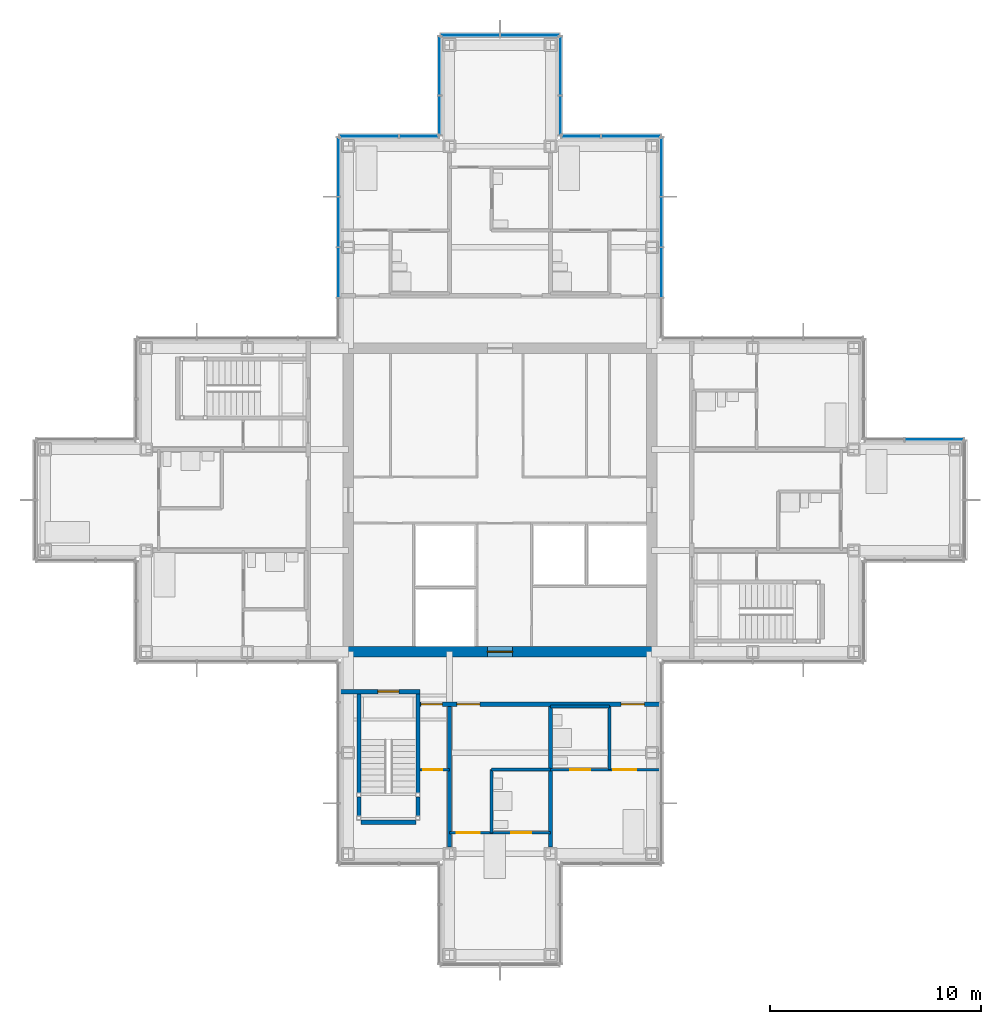
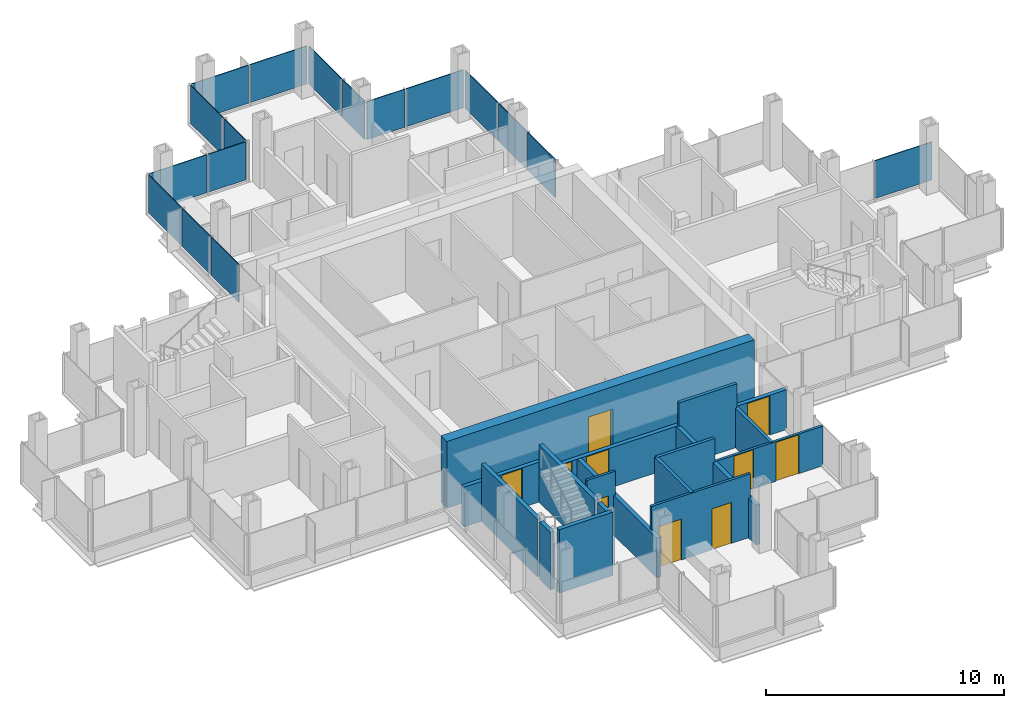
# One storey, part 11 of 17: 17 plates, 17 walls, 10 doors, 10 openings, 8 elements without a shape of their own.
"""IFC4 building model written with IfcOpenShell, lengths in metres."""

from ifc_helpers import new_model, si_unit, direction, frame, frame_2d, origin, origin_2d, place, context, subcontext, project, spatial, rectangle, extrude, material, layer, layer_set, type_object, element, fill, aggregate, save


model = new_model("IFC4")

# Units and contexts
model_context = context("Model", 3, precision=1e-05, world=origin(), true_north=direction((0.0, 1.0)))
body_context = subcontext(model_context, "Body", "Model", "MODEL_VIEW")
ifc_project = project(units=[si_unit("LENGTHUNIT", "METRE"), si_unit("AREAUNIT", "SQUARE_METRE"), si_unit("VOLUMEUNIT", "CUBIC_METRE"), si_unit("PLANEANGLEUNIT", "RADIAN"), si_unit("MASSUNIT", "GRAM", prefix="KILO")], contexts=[model_context])

# Site, building, storey
site_placement = place(None, origin())
site = spatial("IfcSite", under=ifc_project, at=site_placement, CompositionType="ELEMENT")
building_placement = place(site_placement, origin())
building = spatial("IfcBuilding", under=site, at=building_placement, Name="Kvirike Care Tower", CompositionType="ELEMENT")
storey_placement = place(building_placement, frame((0.0, 0.0, 186.5)))
storey = spatial("IfcBuildingStorey", under=building, at=storey_placement, Name="L51", CompositionType="ELEMENT", Elevation=186.5)

# Curtain wall, plate
ifc_material_1 = material(Name="Anodised aluminium stick system", Category="aluminium")
curtain_wall_type = type_object("IfcCurtainWallType", Name="CW-C STICK CURTAIN WALL", PredefinedType="NOTDEFINED", material=ifc_material_1)
curtain_wall_1_placement = place(storey_placement, origin())
curtain_wall_1 = element("IfcCurtainWall", 1, at=curtain_wall_1_placement, inside=storey, type_object=curtain_wall_type, Name="Curtain wall L51 face 5", PredefinedType="NOTDEFINED")
ifc_material_2 = material(Name="Tinted double glazed unit", Category="glass")
ifc_layer_1 = layer(ifc_material_2, 0.0400390625)
ifc_layer_set_1 = layer_set([ifc_layer_1], Name="TINTED VISION PANEL 40")
plate_type = type_object("IfcPlateType", Name="TINTED VISION PANEL 40", PredefinedType="CURTAIN_PANEL", material=ifc_layer_set_1)
plate_1_placement = place(storey_placement, frame((42.21875, 38.8701171875, 0.10009765625), z_axis=(0.0, 0.0, 1.0), x_axis=(-1.0, 0.0, 0.0)))
plate_1 = element("IfcPlate", 2, at=plate_1_placement, type_object=plate_type, Name="CW-C panel L51 face 5.1", PredefinedType="CURTAIN_PANEL", context=body_context, shape_type="SweptSolid", body=[
    extrude(rectangle(XDim=2.7724609375, YDim=0.0400390625, at=origin_2d()), origin(), (0.0, 0.0, 1.0), 1.949951171875),
])
aggregate(curtain_wall_1, [plate_1])

# Curtain wall, plates
curtain_wall_2_placement = place(storey_placement, origin())
curtain_wall_2 = element("IfcCurtainWall", 3, at=curtain_wall_2_placement, inside=storey, type_object=curtain_wall_type, Name="Curtain wall L51 face 8", PredefinedType="NOTDEFINED")
plate_2_placement = place(storey_placement, frame((29.27001953125, 46.800048828125, 0.10009765625), z_axis=(0.0, 0.0, 1.0), x_axis=(0.0, 1.0, 0.0)))
plate_2 = element("IfcPlate", 4, at=plate_2_placement, type_object=plate_type, Name="CW-C panel L51 face 8.2", PredefinedType="CURTAIN_PANEL", context=body_context, shape_type="SweptSolid", body=[
    extrude(rectangle(XDim=2.3349609375, YDim=0.0400390625, at=origin_2d()), origin(), (0.0, 0.0, 1.0), 1.949951171875),
])
plate_3_placement = place(storey_placement, frame((29.27001953125, 49.199951171875, 0.10009765625), z_axis=(0.0, 0.0, 1.0), x_axis=(0.0, 1.0, 0.0)))
plate_3 = element("IfcPlate", 5, at=plate_3_placement, type_object=plate_type, Name="CW-C panel L51 face 8.3", PredefinedType="CURTAIN_PANEL", context=body_context, shape_type="SweptSolid", body=[
    extrude(rectangle(XDim=2.3349609375, YDim=0.0400390625, at=origin_2d()), origin(), (0.0, 0.0, 1.0), 1.949951171875),
])
plate_4_placement = place(storey_placement, frame((29.27001953125, 51.81884765625, 0.10009765625), z_axis=(0.0, 0.0, 1.0), x_axis=(0.0, 1.0, 0.0)))
plate_4 = element("IfcPlate", 6, at=plate_4_placement, type_object=plate_type, Name="CW-C panel L51 face 8.4", PredefinedType="CURTAIN_PANEL", context=body_context, shape_type="SweptSolid", body=[
    extrude(rectangle(XDim=2.7724609375, YDim=0.0400390625, at=origin_2d()), origin(), (0.0, 0.0, 1.0), 1.949951171875),
])
aggregate(curtain_wall_2, [plate_2, plate_3, plate_4])

curtain_wall_3_placement = place(storey_placement, origin())
curtain_wall_3 = element("IfcCurtainWall", 7, at=curtain_wall_3_placement, inside=storey, type_object=curtain_wall_type, Name="Curtain wall L51 face 9", PredefinedType="NOTDEFINED")
plate_5_placement = place(storey_placement, frame((27.81884765625, 53.27001953125, 0.10009765625), z_axis=(0.0, 0.0, 1.0), x_axis=(-1.0, 0.0, 0.0)))
plate_5 = element("IfcPlate", 8, at=plate_5_placement, type_object=plate_type, Name="CW-C panel L51 face 9.1", PredefinedType="CURTAIN_PANEL", context=body_context, shape_type="SweptSolid", body=[
    extrude(rectangle(XDim=2.7724609375, YDim=0.0400390625, at=origin_2d()), origin(), (0.0, 0.0, 1.0), 1.949951171875),
])
plate_6_placement = place(storey_placement, frame((25.451171875, 53.27001953125, 0.10009765625), z_axis=(0.0, 0.0, 1.0), x_axis=(-1.0, 0.0, 0.0)))
plate_6 = element("IfcPlate", 9, at=plate_6_placement, type_object=plate_type, Name="CW-C panel L51 face 9.2", PredefinedType="CURTAIN_PANEL", context=body_context, shape_type="SweptSolid", body=[
    extrude(rectangle(XDim=1.83251953125, YDim=0.0400390625, at=origin_2d()), origin(), (0.0, 0.0, 1.0), 1.949951171875),
])
aggregate(curtain_wall_3, [plate_5, plate_6])

curtain_wall_4_placement = place(storey_placement, origin())
curtain_wall_4 = element("IfcCurtainWall", 10, at=curtain_wall_4_placement, inside=storey, type_object=curtain_wall_type, Name="Curtain wall L51 face 10", PredefinedType="NOTDEFINED")
plate_7_placement = place(storey_placement, frame((24.469970703125, 54.251220703125, 0.10009765625), z_axis=(0.0, 0.0, 1.0), x_axis=(0.0, 1.0, 0.0)))
plate_7 = element("IfcPlate", 11, at=plate_7_placement, type_object=plate_type, Name="CW-C panel L51 face 10.1", PredefinedType="CURTAIN_PANEL", context=body_context, shape_type="SweptSolid", body=[
    extrude(rectangle(XDim=1.83251953125, YDim=0.0400390625, at=origin_2d()), origin(), (0.0, 0.0, 1.0), 1.949951171875),
])
plate_8_placement = place(storey_placement, frame((24.469970703125, 56.61865234375, 0.10009765625), z_axis=(0.0, 0.0, 1.0), x_axis=(0.0, 1.0, 0.0)))
plate_8 = element("IfcPlate", 12, at=plate_8_placement, type_object=plate_type, Name="CW-C panel L51 face 10.2", PredefinedType="CURTAIN_PANEL", context=body_context, shape_type="SweptSolid", body=[
    extrude(rectangle(XDim=2.7724609375, YDim=0.0400390625, at=origin_2d()), origin(), (0.0, 0.0, 1.0), 1.949951171875),
])
aggregate(curtain_wall_4, [plate_7, plate_8])

curtain_wall_5_placement = place(storey_placement, origin())
curtain_wall_5 = element("IfcCurtainWall", 13, at=curtain_wall_5_placement, inside=storey, type_object=curtain_wall_type, Name="Curtain wall L51 face 11", PredefinedType="NOTDEFINED")
plate_9_placement = place(storey_placement, frame((23.018798828125, 58.070068359375, 0.10009765625), z_axis=(0.0, 0.0, 1.0), x_axis=(-1.0, 0.0, 0.0)))
plate_9 = element("IfcPlate", 14, at=plate_9_placement, type_object=plate_type, Name="CW-C panel L51 face 11.1", PredefinedType="CURTAIN_PANEL", context=body_context, shape_type="SweptSolid", body=[
    extrude(rectangle(XDim=2.7724609375, YDim=0.0400390625, at=origin_2d()), origin(), (0.0, 0.0, 1.0), 1.949951171875),
])
plate_10_placement = place(storey_placement, frame((20.18115234375, 58.070068359375, 0.10009765625), z_axis=(0.0, 0.0, 1.0), x_axis=(-1.0, 0.0, 0.0)))
plate_10 = element("IfcPlate", 15, at=plate_10_placement, type_object=plate_type, Name="CW-C panel L51 face 11.2", PredefinedType="CURTAIN_PANEL", context=body_context, shape_type="SweptSolid", body=[
    extrude(rectangle(XDim=2.7724609375, YDim=0.0400390625, at=origin_2d()), origin(), (0.0, 0.0, 1.0), 1.949951171875),
])
aggregate(curtain_wall_5, [plate_9, plate_10])

curtain_wall_6_placement = place(storey_placement, origin())
curtain_wall_6 = element("IfcCurtainWall", 16, at=curtain_wall_6_placement, inside=storey, type_object=curtain_wall_type, Name="Curtain wall L51 face 12", PredefinedType="NOTDEFINED")
plate_11_placement = place(storey_placement, frame((18.72998046875, 56.61865234375, 0.10009765625), z_axis=(0.0, 0.0, 1.0), x_axis=(0.0, -1.0, 0.0)))
plate_11 = element("IfcPlate", 17, at=plate_11_placement, type_object=plate_type, Name="CW-C panel L51 face 12.1", PredefinedType="CURTAIN_PANEL", context=body_context, shape_type="SweptSolid", body=[
    extrude(rectangle(XDim=2.7724609375, YDim=0.0400390625, at=origin_2d()), origin(), (0.0, 0.0, 1.0), 1.949951171875),
])
plate_12_placement = place(storey_placement, frame((18.72998046875, 54.251220703125, 0.10009765625), z_axis=(0.0, 0.0, 1.0), x_axis=(0.0, -1.0, 0.0)))
plate_12 = element("IfcPlate", 18, at=plate_12_placement, type_object=plate_type, Name="CW-C panel L51 face 12.2", PredefinedType="CURTAIN_PANEL", context=body_context, shape_type="SweptSolid", body=[
    extrude(rectangle(XDim=1.83251953125, YDim=0.0400390625, at=origin_2d()), origin(), (0.0, 0.0, 1.0), 1.949951171875),
])
aggregate(curtain_wall_6, [plate_11, plate_12])

curtain_wall_7_placement = place(storey_placement, origin())
curtain_wall_7 = element("IfcCurtainWall", 19, at=curtain_wall_7_placement, inside=storey, type_object=curtain_wall_type, Name="Curtain wall L51 face 13", PredefinedType="NOTDEFINED")
plate_13_placement = place(storey_placement, frame((17.748779296875, 53.27001953125, 0.10009765625), z_axis=(0.0, 0.0, 1.0), x_axis=(-1.0, 0.0, 0.0)))
plate_13 = element("IfcPlate", 20, at=plate_13_placement, type_object=plate_type, Name="CW-C panel L51 face 13.1", PredefinedType="CURTAIN_PANEL", context=body_context, shape_type="SweptSolid", body=[
    extrude(rectangle(XDim=1.83251953125, YDim=0.0400390625, at=origin_2d()), origin(), (0.0, 0.0, 1.0), 1.949951171875),
])
plate_14_placement = place(storey_placement, frame((15.38134765625, 53.27001953125, 0.10009765625), z_axis=(0.0, 0.0, 1.0), x_axis=(-1.0, 0.0, 0.0)))
plate_14 = element("IfcPlate", 21, at=plate_14_placement, type_object=plate_type, Name="CW-C panel L51 face 13.2", PredefinedType="CURTAIN_PANEL", context=body_context, shape_type="SweptSolid", body=[
    extrude(rectangle(XDim=2.7724609375, YDim=0.0400390625, at=origin_2d()), origin(), (0.0, 0.0, 1.0), 1.949951171875),
])
aggregate(curtain_wall_7, [plate_13, plate_14])

curtain_wall_8_placement = place(storey_placement, origin())
curtain_wall_8 = element("IfcCurtainWall", 22, at=curtain_wall_8_placement, inside=storey, type_object=curtain_wall_type, Name="Curtain wall L51 face 14", PredefinedType="NOTDEFINED")
plate_15_placement = place(storey_placement, frame((13.929931640625, 51.81884765625, 0.10009765625), z_axis=(0.0, 0.0, 1.0), x_axis=(0.0, -1.0, 0.0)))
plate_15 = element("IfcPlate", 23, at=plate_15_placement, type_object=plate_type, Name="CW-C panel L51 face 14.1", PredefinedType="CURTAIN_PANEL", context=body_context, shape_type="SweptSolid", body=[
    extrude(rectangle(XDim=2.7724609375, YDim=0.0400390625, at=origin_2d()), origin(), (0.0, 0.0, 1.0), 1.949951171875),
])
plate_16_placement = place(storey_placement, frame((13.929931640625, 49.199951171875, 0.10009765625), z_axis=(0.0, 0.0, 1.0), x_axis=(0.0, -1.0, 0.0)))
plate_16 = element("IfcPlate", 24, at=plate_16_placement, type_object=plate_type, Name="CW-C panel L51 face 14.2", PredefinedType="CURTAIN_PANEL", context=body_context, shape_type="SweptSolid", body=[
    extrude(rectangle(XDim=2.3349609375, YDim=0.0400390625, at=origin_2d()), origin(), (0.0, 0.0, 1.0), 1.949951171875),
])
plate_17_placement = place(storey_placement, frame((13.929931640625, 46.800048828125, 0.10009765625), z_axis=(0.0, 0.0, 1.0), x_axis=(0.0, -1.0, 0.0)))
plate_17 = element("IfcPlate", 25, at=plate_17_placement, type_object=plate_type, Name="CW-C panel L51 face 14.3", PredefinedType="CURTAIN_PANEL", context=body_context, shape_type="SweptSolid", body=[
    extrude(rectangle(XDim=2.3349609375, YDim=0.0400390625, at=origin_2d()), origin(), (0.0, 0.0, 1.0), 1.949951171875),
])
aggregate(curtain_wall_8, [plate_15, plate_16, plate_17])

# Walls
ifc_material_3 = material(Name="Moisture-resistant board partition", Category="gypsum")
ifc_layer_2 = layer(ifc_material_3, 0.14990234375)
ifc_layer_set_2 = layer_set([ifc_layer_2], Name="BATHROOM WALL 150")
wall_type_1 = type_object("IfcWallType", Name="BATHROOM WALL 150", PredefinedType="PARTITIONING", material=ifc_layer_set_2)
wall_1_placement = place(storey_placement, frame((21.199951171875, 20.199951171875, 0.0), z_axis=(0.0, 0.0, 1.0), x_axis=(0.0, 1.0, 0.0)))
element("IfcWall", 26, at=wall_1_placement, inside=storey, type_object=wall_type_1, Name="Bathroom Wall 150 L51", PredefinedType="PARTITIONING", context=body_context, shape_type="SweptSolid", body=[
    extrude(rectangle(XDim=3.0, YDim=0.14990234375, at=frame_2d((1.5, 0.0))), origin(), (0.0, 0.0, 1.0), 3.25),
])
wall_2_placement = place(storey_placement, frame((21.199951171875, 23.199951171875, 0.0), z_axis=(0.0, 0.0, 1.0), x_axis=(1.0, 0.0, 0.0)))
element("IfcWall", 27, at=wall_2_placement, inside=storey, type_object=wall_type_1, Name="Bathroom Wall 150 L51", PredefinedType="PARTITIONING", context=body_context, shape_type="SweptSolid", body=[
    extrude(rectangle(XDim=2.800048828125, YDim=0.14990234375, at=frame_2d((1.39990234375, 0.0))), origin(), (0.0, 0.0, 1.0), 3.25),
])
wall_3_placement = place(storey_placement, frame((26.800048828125, 23.199951171875, 0.0), z_axis=(0.0, 0.0, 1.0), x_axis=(0.0, 1.0, 0.0)))
element("IfcWall", 28, at=wall_3_placement, inside=storey, type_object=wall_type_1, Name="Bathroom Wall 150 L51", PredefinedType="PARTITIONING", context=body_context, shape_type="SweptSolid", body=[
    extrude(rectangle(XDim=3.0, YDim=0.14990234375, at=frame_2d((1.5, 0.0))), origin(), (0.0, 0.0, 1.0), 2.0400390625),
])
wall_4_placement = place(storey_placement, frame((24.0, 26.199951171875, 0.0), z_axis=(0.0, 0.0, 1.0), x_axis=(1.0, 0.0, 0.0)))
element("IfcWall", 29, at=wall_4_placement, inside=storey, type_object=wall_type_1, Name="Bathroom Wall 150 L51", PredefinedType="PARTITIONING", context=body_context, shape_type="SweptSolid", body=[
    extrude(rectangle(XDim=2.800048828125, YDim=0.14990234375, at=frame_2d((1.39990234375, 0.0))), origin(), (0.0, 0.0, 1.0), 3.25),
])

# Wall, opening, door
ifc_material_4 = material(Name="Concrete C45/55", Category="concrete")
ifc_layer_3 = layer(ifc_material_4, 0.5)
ifc_layer_set_3 = layer_set([ifc_layer_3], Name="CORE WALL 500 C45-55")
wall_type_2 = type_object("IfcWallType", Name="CORE WALL 500 C45-55", PredefinedType="SHEAR", material=ifc_layer_set_3)
wall_5_placement = place(storey_placement, frame((14.14990234375, 28.800048828125, -0.169921875), z_axis=(0.0, 0.0, 1.0), x_axis=(1.0, 0.0, 0.0)))
wall_5 = element("IfcWall", 30, at=wall_5_placement, inside=storey, type_object=wall_type_2, Name="Core wall S L51", PredefinedType="SHEAR", context=body_context, shape_type="SweptSolid", body=[
    extrude(rectangle(XDim=14.900146484375, YDim=0.5, at=frame_2d((7.4501953125, 0.0))), origin(), (0.0, 0.0, 1.0), 3.419921875),
])
opening_1_placement = place(wall_5_placement, frame((6.85009765625, 0.0, 0.169921875)))
opening_1 = element("IfcOpeningElement", 31, at=opening_1_placement, cuts=wall_5, Name="Opening 51-050", PredefinedType="OPENING", context=body_context, shape_type="SweptSolid", body=[
    extrude(rectangle(XDim=1.199951171875, YDim=2.10009765625, at=frame_2d((0.60009765625, 1.050048828125))), frame((0.0, 0.260498046875, 0.0), z_axis=(0.0, -1.0, 0.0), x_axis=(1.0, 0.0, 0.0)), (0.0, 0.0, 1.0), 0.52099609375),
])
ifc_material_5 = material(Name="Timber door set", Category="wood")
door_type_1 = type_object("IfcDoorType", Name="CORE DOOR 1200", OperationType="SINGLE_SWING_LEFT", PredefinedType="DOOR", material=ifc_material_5)
door_1_placement = place(opening_1_placement, origin())
door_1 = element("IfcDoor", 32, at=door_1_placement, inside=storey, type_object=door_type_1, Name="Core door S L51", OperationType="SINGLE_SWING_LEFT", OverallHeight=2.10009765625, OverallWidth=1.199951171875, PredefinedType="DOOR", context=body_context, shape_type="SweptSolid", body=[
    extrude(rectangle(XDim=1.199951171875, YDim=2.10009765625, at=frame_2d((0.60009765625, 1.050048828125))), frame((0.0, 0.02685546875, 0.0), z_axis=(0.0, -1.0, 0.0), x_axis=(1.0, 0.0, 0.0)), (0.0, 0.0, 1.0), 0.053955078125),
])
fill(opening_1, door_1)

# Wall, openings, doors
ifc_material_6 = material(Name="Plasterboard corridor wall", Category="gypsum")
ifc_layer_4 = layer(ifc_material_6, 0.199951171875)
ifc_layer_set_4 = layer_set([ifc_layer_4], Name="CORRIDOR WALL 200")
wall_type_3 = type_object("IfcWallType", Name="CORRIDOR WALL 200", PredefinedType="PARTITIONING", material=ifc_layer_set_4)
wall_6_placement = place(storey_placement, frame((17.800048828125, 26.300048828125, 0.0), z_axis=(0.0, 0.0, 1.0), x_axis=(1.0, 0.0, 0.0)))
wall_6 = element("IfcWall", 33, at=wall_6_placement, inside=storey, type_object=wall_type_3, Name="Corridor Wall 200 L51", PredefinedType="PARTITIONING", context=body_context, shape_type="SweptSolid", body=[
    extrude(rectangle(XDim=11.449951171875, YDim=0.199951171875, at=frame_2d((5.72509765625, 0.0))), origin(), (0.0, 0.0, 1.0), 2.0400390625),
])
opening_2_placement = place(wall_6_placement, frame((0.06005859375, 0.0, 0.0)))
opening_2 = element("IfcOpeningElement", 34, at=opening_2_placement, cuts=wall_6, Name="Opening 51-016", PredefinedType="OPENING", context=body_context, shape_type="SweptSolid", body=[
    extrude(rectangle(XDim=1.0, YDim=2.0, at=frame_2d((0.5, 1.0))), frame((0.0, 0.110595703125, 0.0), z_axis=(0.0, -1.0, 0.0), x_axis=(1.0, 0.0, 0.0)), (0.0, 0.0, 1.0), 0.220947265625),
])
opening_3_placement = place(wall_6_placement, frame((1.75, 0.0, 0.0)))
opening_3 = element("IfcOpeningElement", 35, at=opening_3_placement, cuts=wall_6, Name="Opening 51-017", PredefinedType="OPENING", context=body_context, shape_type="SweptSolid", body=[
    extrude(rectangle(XDim=1.10009765625, YDim=2.0, at=frame_2d((0.550048828125, 1.0))), frame((0.0, 0.110595703125, 0.0), z_axis=(0.0, -1.0, 0.0), x_axis=(1.0, 0.0, 0.0)), (0.0, 0.0, 1.0), 0.220947265625),
])
opening_4_placement = place(wall_6_placement, frame((9.550048828125, 0.0, 0.0)))
opening_4 = element("IfcOpeningElement", 36, at=opening_4_placement, cuts=wall_6, Name="Opening 51-018", PredefinedType="OPENING", context=body_context, shape_type="SweptSolid", body=[
    extrude(rectangle(XDim=1.10009765625, YDim=2.0, at=frame_2d((0.550048828125, 1.0))), frame((0.0, 0.110595703125, 0.0), z_axis=(0.0, -1.0, 0.0), x_axis=(1.0, 0.0, 0.0)), (0.0, 0.0, 1.0), 0.220947265625),
])
ifc_material_7 = material(Name="Timber door set", Category="wood")
door_type_2 = type_object("IfcDoorType", Name="BEDROOM ENTRANCE DOOR 1100 x 2000", OperationType="SINGLE_SWING_LEFT", PredefinedType="DOOR", material=ifc_material_7)
door_2_placement = place(opening_3_placement, frame((1.10009765625, 0.0, 0.0), z_axis=(0.0, 0.0, 1.0), x_axis=(-1.0, 0.0, 0.0)))
door_2 = element("IfcDoor", 37, at=door_2_placement, inside=storey, type_object=door_type_2, Name="Memory care bedroom entrance", OperationType="SINGLE_SWING_LEFT", OverallHeight=2.0, OverallWidth=1.10009765625, PredefinedType="DOOR", context=body_context, shape_type="SweptSolid", body=[
    extrude(rectangle(XDim=1.10009765625, YDim=2.0, at=frame_2d((0.550048828125, 1.0))), frame((0.0, 0.02685546875, 0.0), z_axis=(0.0, -1.0, 0.0), x_axis=(1.0, 0.0, 0.0)), (0.0, 0.0, 1.0), 0.053955078125),
])
fill(opening_3, door_2)
door_3_placement = place(opening_4_placement, frame((1.10009765625, 0.0, 0.0), z_axis=(0.0, 0.0, 1.0), x_axis=(-1.0, 0.0, 0.0)))
door_3 = element("IfcDoor", 38, at=door_3_placement, inside=storey, type_object=door_type_2, Name="Memory care bedroom entrance", OperationType="SINGLE_SWING_RIGHT", OverallHeight=2.0, OverallWidth=1.10009765625, PredefinedType="DOOR", context=body_context, shape_type="SweptSolid", body=[
    extrude(rectangle(XDim=1.10009765625, YDim=2.0, at=frame_2d((0.550048828125, 1.0))), frame((0.0, 0.02685546875, 0.0), z_axis=(0.0, -1.0, 0.0), x_axis=(1.0, 0.0, 0.0)), (0.0, 0.0, 1.0), 0.053955078125),
])
fill(opening_4, door_3)
ifc_material_8 = material(Name="Timber door set", Category="wood")
door_type_3 = type_object("IfcDoorType", Name="FLAT ENTRANCE DOOR 1000 x 2000", OperationType="SINGLE_SWING_LEFT", PredefinedType="DOOR", material=ifc_material_8)
door_4_placement = place(opening_2_placement, frame((1.0, 0.0, 0.0), z_axis=(0.0, 0.0, 1.0), x_axis=(-1.0, 0.0, 0.0)))
door_4 = element("IfcDoor", 39, at=door_4_placement, inside=storey, type_object=door_type_3, Name="Care base entrance", OperationType="SINGLE_SWING_LEFT", OverallHeight=2.0, OverallWidth=1.0, PredefinedType="DOOR", context=body_context, shape_type="SweptSolid", body=[
    extrude(rectangle(XDim=1.0, YDim=2.0, at=frame_2d((0.5, 1.0))), frame((0.0, 0.02685546875, 0.0), z_axis=(0.0, -1.0, 0.0), x_axis=(1.0, 0.0, 0.0)), (0.0, 0.0, 1.0), 0.053955078125),
])
fill(opening_2, door_4)

# Wall, opening, door
ifc_material_9 = material(Name="Plasterboard partition", Category="gypsum")
ifc_layer_5 = layer(ifc_material_9, 0.1201171875)
ifc_layer_set_5 = layer_set([ifc_layer_5], Name="PARTITION 120")
wall_type_4 = type_object("IfcWallType", Name="PARTITION 120", PredefinedType="PARTITIONING", material=ifc_layer_set_5)
wall_7_placement = place(storey_placement, frame((17.800048828125, 23.199951171875, 0.0), z_axis=(0.0, 0.0, 1.0), x_axis=(1.0, 0.0, 0.0)))
wall_7 = element("IfcWall", 40, at=wall_7_placement, inside=storey, type_object=wall_type_4, Name="Partition 120 L51", PredefinedType="PARTITIONING", context=body_context, shape_type="SweptSolid", body=[
    extrude(rectangle(XDim=1.39990234375, YDim=0.1201171875, at=frame_2d((0.699951171875, 0.0))), origin(), (0.0, 0.0, 1.0), 3.25),
])
opening_5_placement = place(wall_7_placement, frame((0.14990234375, 0.0, 0.0)))
opening_5 = element("IfcOpeningElement", 41, at=opening_5_placement, cuts=wall_7, Name="Opening 51-011", PredefinedType="OPENING", context=body_context, shape_type="SweptSolid", body=[
    extrude(rectangle(XDim=0.89990234375, YDim=2.10009765625, at=frame_2d((0.449951171875, 1.050048828125))), frame((0.0, 0.070556640625, 0.0), z_axis=(0.0, -1.0, 0.0), x_axis=(1.0, 0.0, 0.0)), (0.0, 0.0, 1.0), 0.14111328125),
])
ifc_material_10 = material(Name="Timber door set", Category="wood")
door_type_4 = type_object("IfcDoorType", Name="INTERNAL DOOR 900", OperationType="SINGLE_SWING_LEFT", PredefinedType="DOOR", material=ifc_material_10)
door_5_placement = place(opening_5_placement, origin())
door_5 = element("IfcDoor", 42, at=door_5_placement, inside=storey, type_object=door_type_4, Name="Quiet room door", OperationType="SINGLE_SWING_RIGHT", OverallHeight=2.10009765625, OverallWidth=0.89990234375, PredefinedType="DOOR", context=body_context, shape_type="SweptSolid", body=[
    extrude(rectangle(XDim=0.89990234375, YDim=2.10009765625, at=frame_2d((0.449951171875, 1.050048828125))), frame((0.0, 0.02197265625, 0.0), z_axis=(0.0, -1.0, 0.0), x_axis=(1.0, 0.0, 0.0)), (0.0, 0.0, 1.0), 0.0439453125),
])
fill(opening_5, door_5)

# Wall, openings, doors
wall_8_placement = place(storey_placement, frame((19.199951171875, 20.199951171875, 0.0), z_axis=(0.0, 0.0, 1.0), x_axis=(1.0, 0.0, 0.0)))
wall_8 = element("IfcWall", 43, at=wall_8_placement, inside=storey, type_object=wall_type_4, Name="Partition 120 L51", PredefinedType="PARTITIONING", context=body_context, shape_type="SweptSolid", body=[
    extrude(rectangle(XDim=4.800048828125, YDim=0.1201171875, at=frame_2d((2.39990234375, 0.0))), origin(), (0.0, 0.0, 1.0), 3.25),
])
opening_6_placement = place(wall_8_placement, frame((0.35009765625, 0.0, 0.0)))
opening_6 = element("IfcOpeningElement", 44, at=opening_6_placement, cuts=wall_8, Name="Opening 51-012", PredefinedType="OPENING", context=body_context, shape_type="SweptSolid", body=[
    extrude(rectangle(XDim=1.10009765625, YDim=2.10009765625, at=frame_2d((0.550048828125, 1.050048828125))), frame((0.0, 0.070556640625, 0.0), z_axis=(0.0, -1.0, 0.0), x_axis=(1.0, 0.0, 0.0)), (0.0, 0.0, 1.0), 0.14111328125),
])
opening_7_placement = place(wall_8_placement, frame((2.925048828125, 0.0, 0.0)))
opening_7 = element("IfcOpeningElement", 45, at=opening_7_placement, cuts=wall_8, Name="Opening 51-013", PredefinedType="OPENING", context=body_context, shape_type="SweptSolid", body=[
    extrude(rectangle(XDim=0.949951171875, YDim=2.10009765625, at=frame_2d((0.47509765625, 1.050048828125))), frame((0.0, 0.070556640625, 0.0), z_axis=(0.0, -1.0, 0.0), x_axis=(1.0, 0.0, 0.0)), (0.0, 0.0, 1.0), 0.14111328125),
])
ifc_material_11 = material(Name="Timber door set", Category="wood")
door_type_5 = type_object("IfcDoorType", Name="BEDROOM DOOR 1100", OperationType="SINGLE_SWING_LEFT", PredefinedType="DOOR", material=ifc_material_11)
door_6_placement = place(opening_6_placement, origin())
door_6 = element("IfcDoor", 46, at=door_6_placement, inside=storey, type_object=door_type_5, Name="Memory care bedroom door", OperationType="SINGLE_SWING_RIGHT", OverallHeight=2.10009765625, OverallWidth=1.10009765625, PredefinedType="DOOR", context=body_context, shape_type="SweptSolid", body=[
    extrude(rectangle(XDim=1.10009765625, YDim=2.10009765625, at=frame_2d((0.550048828125, 1.050048828125))), frame((0.0, 0.02197265625, 0.0), z_axis=(0.0, -1.0, 0.0), x_axis=(1.0, 0.0, 0.0)), (0.0, 0.0, 1.0), 0.0439453125),
])
fill(opening_6, door_6)
ifc_material_12 = material(Name="Timber door set", Category="wood")
door_type_6 = type_object("IfcDoorType", Name="EN-SUITE SLIDING DOOR 950", OperationType="SLIDING_TO_LEFT", PredefinedType="DOOR", material=ifc_material_12)
door_7_placement = place(opening_7_placement, origin())
door_7 = element("IfcDoor", 47, at=door_7_placement, inside=storey, type_object=door_type_6, Name="En-suite door", OperationType="SLIDING_TO_RIGHT", OverallHeight=2.10009765625, OverallWidth=0.949951171875, PredefinedType="DOOR", context=body_context, shape_type="SweptSolid", body=[
    extrude(rectangle(XDim=0.949951171875, YDim=2.10009765625, at=frame_2d((0.47509765625, 1.050048828125))), frame((0.0, 0.02197265625, 0.0), z_axis=(0.0, -1.0, 0.0), x_axis=(1.0, 0.0, 0.0)), (0.0, 0.0, 1.0), 0.0439453125),
])
fill(opening_7, door_7)

wall_9_placement = place(storey_placement, frame((24.0, 23.199951171875, 0.0), z_axis=(0.0, 0.0, 1.0), x_axis=(1.0, 0.0, 0.0)))
wall_9 = element("IfcWall", 48, at=wall_9_placement, inside=storey, type_object=wall_type_4, Name="Partition 120 L51", PredefinedType="PARTITIONING", context=body_context, shape_type="SweptSolid", body=[
    extrude(rectangle(XDim=5.25, YDim=0.1201171875, at=frame_2d((2.625, 0.0))), origin(), (0.0, 0.0, 1.0), 2.0400390625),
])
opening_8_placement = place(wall_9_placement, frame((2.97509765625, 0.0, 0.0)))
opening_8 = element("IfcOpeningElement", 49, at=opening_8_placement, cuts=wall_9, Name="Opening 51-014", PredefinedType="OPENING", context=body_context, shape_type="SweptSolid", body=[
    extrude(rectangle(XDim=1.10009765625, YDim=2.0, at=frame_2d((0.550048828125, 1.0))), frame((0.0, 0.070556640625, 0.0), z_axis=(0.0, -1.0, 0.0), x_axis=(1.0, 0.0, 0.0)), (0.0, 0.0, 1.0), 0.14111328125),
])
opening_9_placement = place(wall_9_placement, frame((0.925048828125, 0.0, 0.0)))
opening_9 = element("IfcOpeningElement", 50, at=opening_9_placement, cuts=wall_9, Name="Opening 51-015", PredefinedType="OPENING", context=body_context, shape_type="SweptSolid", body=[
    extrude(rectangle(XDim=0.949951171875, YDim=2.0, at=frame_2d((0.47509765625, 1.0))), frame((0.0, 0.070556640625, 0.0), z_axis=(0.0, -1.0, 0.0), x_axis=(1.0, 0.0, 0.0)), (0.0, 0.0, 1.0), 0.14111328125),
])
ifc_material_13 = material(Name="Timber door set", Category="wood")
door_type_7 = type_object("IfcDoorType", Name="BEDROOM DOOR 1100 x 2000", OperationType="SINGLE_SWING_LEFT", PredefinedType="DOOR", material=ifc_material_13)
door_8_placement = place(opening_8_placement, origin())
door_8 = element("IfcDoor", 51, at=door_8_placement, inside=storey, type_object=door_type_7, Name="Memory care bedroom door", OperationType="SINGLE_SWING_RIGHT", OverallHeight=2.0, OverallWidth=1.10009765625, PredefinedType="DOOR", context=body_context, shape_type="SweptSolid", body=[
    extrude(rectangle(XDim=1.10009765625, YDim=2.0, at=frame_2d((0.550048828125, 1.0))), frame((0.0, 0.02197265625, 0.0), z_axis=(0.0, -1.0, 0.0), x_axis=(1.0, 0.0, 0.0)), (0.0, 0.0, 1.0), 0.0439453125),
])
fill(opening_8, door_8)
ifc_material_14 = material(Name="Timber door set", Category="wood")
door_type_8 = type_object("IfcDoorType", Name="EN-SUITE SLIDING DOOR 950 x 2000", OperationType="SLIDING_TO_LEFT", PredefinedType="DOOR", material=ifc_material_14)
door_9_placement = place(opening_9_placement, origin())
door_9 = element("IfcDoor", 52, at=door_9_placement, inside=storey, type_object=door_type_8, Name="En-suite door", OperationType="SLIDING_TO_RIGHT", OverallHeight=2.0, OverallWidth=0.949951171875, PredefinedType="DOOR", context=body_context, shape_type="SweptSolid", body=[
    extrude(rectangle(XDim=0.949951171875, YDim=2.0, at=frame_2d((0.47509765625, 1.0))), frame((0.0, 0.02197265625, 0.0), z_axis=(0.0, -1.0, 0.0), x_axis=(1.0, 0.0, 0.0)), (0.0, 0.0, 1.0), 0.0439453125),
])
fill(opening_9, door_9)

# Walls
ifc_material_15 = material(Name="Plasterboard party wall", Category="gypsum")
ifc_layer_6 = layer(ifc_material_15, 0.199951171875)
ifc_layer_set_6 = layer_set([ifc_layer_6], Name="PARTY WALL 200")
wall_type_5 = type_object("IfcWallType", Name="PARTY WALL 200", PredefinedType="PARTITIONING", material=ifc_layer_set_6)
for number, where, z_axis, x_axis, name in (
    (53, (19.199951171875, 19.52001953125, 0.0), (0.0, 0.0, 1.0), (0.0, 1.0, 0.0), "Party Wall 200 L51"),
    (54, (24.0, 19.52001953125, 0.0), (0.0, 0.0, 1.0), (0.0, 1.0, 0.0), "Party Wall 200 L51"),
):
    element("IfcWall", number, at=place(storey_placement, frame(where, z_axis=z_axis, x_axis=x_axis)), inside=storey, type_object=wall_type_5, Name=name, PredefinedType="PARTITIONING", context=body_context, shape_type="SweptSolid", body=[
        extrude(rectangle(XDim=6.679931640625, YDim=0.199951171875, at=frame_2d((3.33984375, 0.0))), origin(), (0.0, 0.0, 1.0), 2.0400390625),
    ])
ifc_material_16 = material(Name="Concrete C40/50", Category="concrete")
ifc_layer_7 = layer(ifc_material_16, 0.199951171875)
ifc_layer_set_7 = layer_set([ifc_layer_7], Name="STAIR WALL 200")
wall_type_6 = type_object("IfcWallType", Name="STAIR WALL 200", PredefinedType="SOLIDWALL", material=ifc_layer_set_7)
wall_10_placement = place(storey_placement, frame((14.89990234375, 21.0, 0.0), z_axis=(0.0, 0.0, 1.0), x_axis=(0.0, 1.0, 0.0)))
element("IfcWall", 55, at=wall_10_placement, inside=storey, type_object=wall_type_6, Name="Stair Wall 200 L51", PredefinedType="SOLIDWALL", context=body_context, shape_type="SweptSolid", body=[
    extrude(rectangle(XDim=0.89990234375, YDim=0.199951171875, at=frame_2d((0.449951171875, 0.0))), origin(), (0.0, 0.0, 1.0), 2.93994140625),
])
wall_11_placement = place(storey_placement, frame((14.89990234375, 22.10009765625, 0.0), z_axis=(0.0, 0.0, 1.0), x_axis=(0.0, 1.0, 0.0)))
element("IfcWall", 56, at=wall_11_placement, inside=storey, type_object=wall_type_6, Name="Stair Wall 200 L51", PredefinedType="SOLIDWALL", context=body_context, shape_type="SweptSolid", body=[
    extrude(rectangle(XDim=4.699951171875, YDim=0.199951171875, at=frame_2d((2.35009765625, 0.0))), origin(), (0.0, 0.0, 1.0), 2.93994140625),
])
wall_12_placement = place(storey_placement, frame((17.699951171875, 21.0, 0.0), z_axis=(0.0, 0.0, 1.0), x_axis=(0.0, 1.0, 0.0)))
element("IfcWall", 57, at=wall_12_placement, inside=storey, type_object=wall_type_6, Name="Stair Wall 200 L51", PredefinedType="SOLIDWALL", context=body_context, shape_type="SweptSolid", body=[
    extrude(rectangle(XDim=0.89990234375, YDim=0.199951171875, at=frame_2d((0.449951171875, 0.0))), origin(), (0.0, 0.0, 1.0), 2.93994140625),
])
wall_13_placement = place(storey_placement, frame((17.699951171875, 22.10009765625, 0.0), z_axis=(0.0, 0.0, 1.0), x_axis=(0.0, 1.0, 0.0)))
element("IfcWall", 58, at=wall_13_placement, inside=storey, type_object=wall_type_6, Name="Stair Wall 200 L51", PredefinedType="SOLIDWALL", context=body_context, shape_type="SweptSolid", body=[
    extrude(rectangle(XDim=4.699951171875, YDim=0.199951171875, at=frame_2d((2.35009765625, 0.0))), origin(), (0.0, 0.0, 1.0), 2.93994140625),
])
wall_14_placement = place(storey_placement, frame((15.0, 20.699951171875, 0.0), z_axis=(0.0, 0.0, 1.0), x_axis=(1.0, 0.0, 0.0)))
element("IfcWall", 59, at=wall_14_placement, inside=storey, type_object=wall_type_6, Name="Stair Wall 200 L51", PredefinedType="SOLIDWALL", context=body_context, shape_type="SweptSolid", body=[
    extrude(rectangle(XDim=2.60009765625, YDim=0.199951171875, at=frame_2d((1.300048828125, 0.0))), origin(), (0.0, 0.0, 1.0), 3.25),
])

# Wall, opening, door
wall_15_placement = place(storey_placement, frame((13.949951171875, 26.89990234375, 0.0), z_axis=(0.0, 0.0, 1.0), x_axis=(1.0, 0.0, 0.0)))
wall_15 = element("IfcWall", 60, at=wall_15_placement, inside=storey, type_object=wall_type_6, Name="Stair Wall 200 L51", PredefinedType="SOLIDWALL", context=body_context, shape_type="SweptSolid", body=[
    extrude(rectangle(XDim=3.85009765625, YDim=0.199951171875, at=frame_2d((1.925048828125, 0.0))), origin(), (0.0, 0.0, 1.0), 2.0400390625),
])
opening_10_placement = place(wall_15_placement, frame((1.85009765625, 0.0, 0.0)))
opening_10 = element("IfcOpeningElement", 61, at=opening_10_placement, cuts=wall_15, Name="Opening 51-010", PredefinedType="OPENING", context=body_context, shape_type="SweptSolid", body=[
    extrude(rectangle(XDim=1.0, YDim=2.0, at=frame_2d((0.5, 1.0))), frame((0.0, 0.110595703125, 0.0), z_axis=(0.0, -1.0, 0.0), x_axis=(1.0, 0.0, 0.0)), (0.0, 0.0, 1.0), 0.220947265625),
])
ifc_material_17 = material(Name="Timber door set", Category="wood")
door_type_9 = type_object("IfcDoorType", Name="STAIR DOOR 1000 x 2000", OperationType="SINGLE_SWING_LEFT", PredefinedType="DOOR", material=ifc_material_17)
door_10_placement = place(opening_10_placement, frame((1.0, 0.0, 0.0), z_axis=(0.0, 0.0, 1.0), x_axis=(-1.0, 0.0, 0.0)))
door_10 = element("IfcDoor", 62, at=door_10_placement, inside=storey, type_object=door_type_9, Name="Stair 5 door", OperationType="SINGLE_SWING_RIGHT", OverallHeight=2.0, OverallWidth=1.0, PredefinedType="DOOR", context=body_context, shape_type="SweptSolid", body=[
    extrude(rectangle(XDim=1.0, YDim=2.0, at=frame_2d((0.5, 1.0))), frame((0.0, 0.031982421875, 0.0), z_axis=(0.0, -1.0, 0.0), x_axis=(1.0, 0.0, 0.0)), (0.0, 0.0, 1.0), 0.06396484375),
])
fill(opening_10, door_10)

save(model, "model.ifc")
